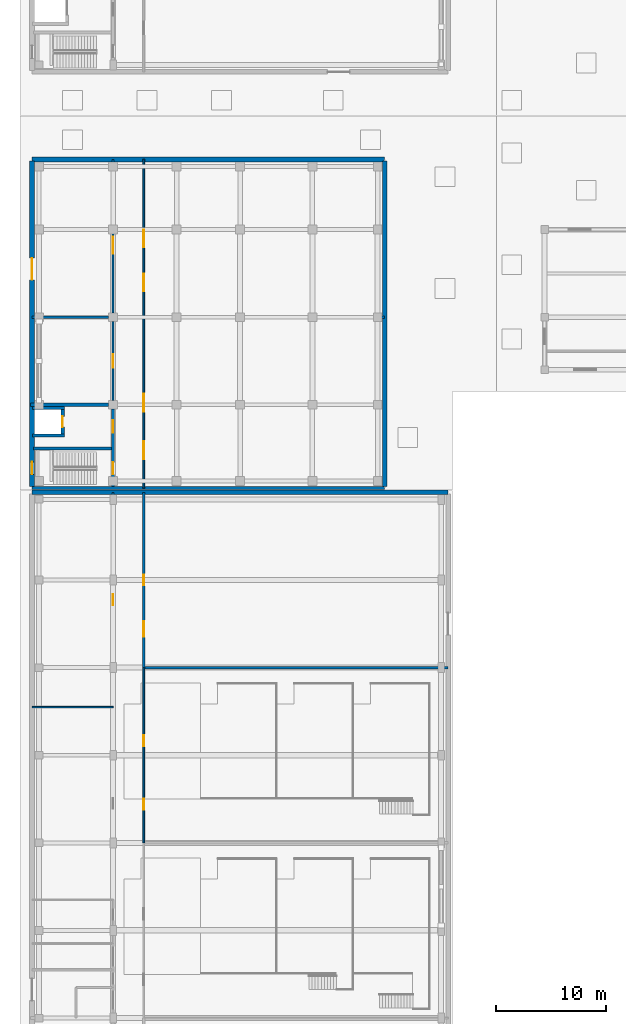
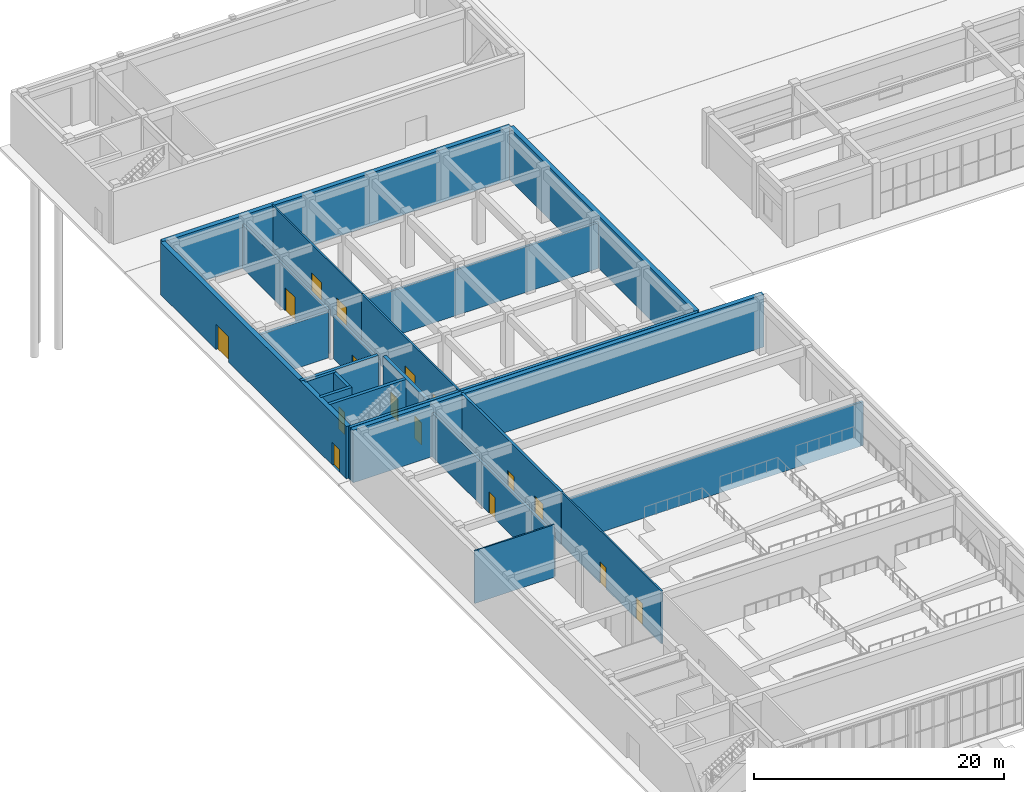
# One storey, part 29 of 46: 22 walls, 16 doors, 16 openings.
"""IFC4 building model written with IfcOpenShell, lengths in metres."""

from ifc_helpers import new_model, si_unit, direction, frame, frame_2d, origin, place, context, subcontext, project, spatial, rectangle, extrude, material, layer, layer_set, type_object, element, fill, save


model = new_model("IFC4")

# Units and contexts
model_context = context("Model", 3, precision=1e-05, world=origin(), true_north=direction((0.0, 1.0)))
body_context = subcontext(model_context, "Body", "Model", "MODEL_VIEW")
ifc_project = project(units=[si_unit("LENGTHUNIT", "METRE"), si_unit("AREAUNIT", "SQUARE_METRE"), si_unit("VOLUMEUNIT", "CUBIC_METRE"), si_unit("PLANEANGLEUNIT", "RADIAN"), si_unit("MASSUNIT", "GRAM", prefix="KILO")], contexts=[model_context])

# Site, building, storey
site_placement = place(None, origin())
site = spatial("IfcSite", under=ifc_project, at=site_placement, CompositionType="ELEMENT")
building_placement = place(site_placement, origin())
building = spatial("IfcBuilding", under=site, at=building_placement, Name="Cinchona Park Media Centre", CompositionType="ELEMENT")
storey_placement = place(building_placement, origin())
storey = spatial("IfcBuildingStorey", under=building, at=storey_placement, Name="L00", CompositionType="ELEMENT", Elevation=0.0)

# Walls
ifc_material_1 = material(Name="Precast concrete C40/50", Category="concrete")
ifc_layer_1 = layer(ifc_material_1, 0.425048828125)
ifc_layer_set_1 = layer_set([ifc_layer_1], Name="Precast concrete C40/50")
wall_type_1 = type_object("IfcWallType", Name="WALL-W-AC01", PredefinedType="SOLIDWALL", material=ifc_layer_set_1)
wall_1_placement = place(storey_placement, frame((8.0, 63.60009765625, 0.0), z_axis=(0.0, 0.0, 1.0), x_axis=(1.0, 0.0, 0.0)))
element("IfcWall", 1, at=wall_1_placement, inside=storey, type_object=wall_type_1, Name="Exterior Wall W-AC01 V1 L00", PredefinedType="SOLIDWALL", context=body_context, shape_type="SweptSolid", body=[
    extrude(rectangle(XDim=38.0, YDim=0.425048828125, at=frame_2d((19.0, 0.0))), origin(), (0.0, 0.0, 1.0), 5.139892578125),
])
wall_2_placement = place(storey_placement, frame((8.0, 94.0, 0.0), z_axis=(0.0, 0.0, 1.0), x_axis=(1.0, 0.0, 0.0)))
element("IfcWall", 2, at=wall_2_placement, inside=storey, type_object=wall_type_1, Name="Exterior Wall W-AC01 V4 L00", PredefinedType="SOLIDWALL", context=body_context, shape_type="SweptSolid", body=[
    extrude(rectangle(XDim=32.199951171875, YDim=0.425048828125, at=frame_2d((16.10009765625, 0.0))), origin(), (0.0, 0.0, 1.0), 5.1201171875),
])
wall_3_placement = place(storey_placement, frame((40.199951171875, 93.860107421875, 0.0), z_axis=(0.0, 0.0, 1.0), x_axis=(0.0, -1.0, 0.0)))
element("IfcWall", 3, at=wall_3_placement, inside=storey, type_object=wall_type_1, Name="Exterior Wall W-AC01 V4 L00", PredefinedType="SOLIDWALL", context=body_context, shape_type="SweptSolid", body=[
    extrude(rectangle(XDim=29.72021484375, YDim=0.425048828125, at=frame_2d((14.860107421875, 0.0))), origin(), (0.0, 0.0, 1.0), 5.1201171875),
])

# Wall, openings, doors
wall_4_placement = place(storey_placement, frame((8.0, 64.139892578125, 0.0), z_axis=(0.0, 0.0, 1.0), x_axis=(0.0, 1.0, 0.0)))
wall_4 = element("IfcWall", 4, at=wall_4_placement, inside=storey, type_object=wall_type_1, Name="Exterior Wall W-AC01 V4 L00", PredefinedType="SOLIDWALL", context=body_context, shape_type="SweptSolid", body=[
    extrude(rectangle(XDim=29.72021484375, YDim=0.425048828125, at=frame_2d((14.860107421875, 0.0))), origin(), (0.0, 0.0, 1.0), 5.1201171875),
])
opening_1_placement = place(wall_4_placement, frame((1.10009765625, 0.0, 0.0)))
opening_1 = element("IfcOpeningElement", 5, at=opening_1_placement, cuts=wall_4, Name="Opening D003", PredefinedType="OPENING", context=body_context, shape_type="SweptSolid", body=[
    extrude(rectangle(XDim=1.14990234375, YDim=2.199951171875, at=frame_2d((0.574951171875, 1.10009765625))), frame((0.0, 0.222412109375, 0.0), z_axis=(0.0, -1.0, 0.0), x_axis=(1.0, 0.0, 0.0)), (0.0, 0.0, 1.0), 0.445068359375),
])
opening_2_placement = place(wall_4_placement, frame((18.860107421875, 0.0, 0.0)))
opening_2 = element("IfcOpeningElement", 6, at=opening_2_placement, cuts=wall_4, Name="Opening D012", PredefinedType="OPENING", context=body_context, shape_type="SweptSolid", body=[
    extrude(rectangle(XDim=2.0, YDim=2.5, at=frame_2d((1.0, 1.25))), frame((0.0, 0.222412109375, 0.0), z_axis=(0.0, -1.0, 0.0), x_axis=(1.0, 0.0, 0.0)), (0.0, 0.0, 1.0), 0.445068359375),
])
ifc_material_2 = material(Name="Insulated Steel and Laminated Glass Door", Category="steel")
door_type_1 = type_object("IfcDoorType", Name="DOOR-DT-EX2", OperationType="NOTDEFINED", PredefinedType="DOOR", material=ifc_material_2)
door_1_placement = place(opening_2_placement, origin())
door_1 = element("IfcDoor", 7, at=door_1_placement, inside=storey, type_object=door_type_1, Name="Exterior Door D012", OperationType="DOUBLE_SWING_LEFT", OverallHeight=2.5, OverallWidth=2.0, PredefinedType="DOOR", context=body_context, shape_type="SweptSolid", body=[
    extrude(rectangle(XDim=2.0, YDim=2.5, at=frame_2d((1.0, 1.25))), frame((0.0, 0.02490234375, 0.0), z_axis=(0.0, -1.0, 0.0), x_axis=(1.0, 0.0, 0.0)), (0.0, 0.0, 1.0), 0.050048828125),
])
fill(opening_2, door_1)
ifc_material_3 = material(Name="Insulated Steel and Laminated Glass Door", Category="steel")
door_type_2 = type_object("IfcDoorType", Name="DOOR-DT-EX3", OperationType="NOTDEFINED", PredefinedType="DOOR", material=ifc_material_3)
door_2_placement = place(opening_1_placement, origin())
door_2 = element("IfcDoor", 8, at=door_2_placement, inside=storey, type_object=door_type_2, Name="Exterior Door D003", OperationType="SINGLE_SWING_LEFT", OverallHeight=2.199951171875, OverallWidth=1.14990234375, PredefinedType="DOOR", context=body_context, shape_type="SweptSolid", body=[
    extrude(rectangle(XDim=1.14990234375, YDim=2.199951171875, at=frame_2d((0.574951171875, 1.10009765625))), frame((0.0, 0.02490234375, 0.0), z_axis=(0.0, -1.0, 0.0), x_axis=(1.0, 0.0, 0.0)), (0.0, 0.0, 1.0), 0.050048828125),
])
fill(opening_1, door_2)

# Wall, opening, door
ifc_material_4 = material(Name="Acoustic Double-Stud Gypsum Partition", Category="gypsum")
ifc_layer_2 = layer(ifc_material_4, 0.2099609375)
ifc_layer_set_2 = layer_set([ifc_layer_2], Name="Acoustic Double-Stud Gypsum Partition")
wall_type_2 = type_object("IfcWallType", Name="WALL-W-AC210", PredefinedType="PARTITIONING", material=ifc_layer_set_2)
wall_5_placement = place(storey_placement, frame((15.39990234375, 44.0, 0.0), z_axis=(0.0, 0.0, 1.0), x_axis=(0.0, 1.0, 0.0)))
wall_5 = element("IfcWall", 9, at=wall_5_placement, inside=storey, type_object=wall_type_2, Name="Interior Wall W-AC210 L00", PredefinedType="PARTITIONING", context=body_context, shape_type="SweptSolid", body=[
    extrude(rectangle(XDim=19.60009765625, YDim=0.2099609375, at=frame_2d((9.800048828125, 0.0))), origin(), (0.0, 0.0, 1.0), 4.2900390625),
])
opening_3_placement = place(wall_5_placement, frame((9.2900390625, 0.0, 0.0)))
opening_3 = element("IfcOpeningElement", 10, at=opening_3_placement, cuts=wall_5, Name="Opening D186", PredefinedType="OPENING", context=body_context, shape_type="SweptSolid", body=[
    extrude(rectangle(XDim=1.02001953125, YDim=2.10009765625, at=frame_2d((0.510009765625, 1.050048828125))), frame((0.0, 0.114990234375, 0.0), z_axis=(0.0, -1.0, 0.0), x_axis=(1.0, 0.0, 0.0)), (0.0, 0.0, 1.0), 0.22998046875),
])
ifc_material_5 = material(Name="Solid-Core Timber Acoustic Door", Category="wood")
door_type_3 = type_object("IfcDoorType", Name="DOOR-DT05", OperationType="NOTDEFINED", PredefinedType="DOOR", material=ifc_material_5)
door_3_placement = place(opening_3_placement, origin())
door_3 = element("IfcDoor", 11, at=door_3_placement, inside=storey, type_object=door_type_3, Name="Interior Door D186", OperationType="SINGLE_SWING_RIGHT", OverallHeight=2.10009765625, OverallWidth=1.02001953125, PredefinedType="DOOR", context=body_context, shape_type="SweptSolid", body=[
    extrude(rectangle(XDim=1.02001953125, YDim=2.10009765625, at=frame_2d((0.510009765625, 1.050048828125))), frame((0.0, 0.02490234375, 0.0), z_axis=(0.0, -1.0, 0.0), x_axis=(1.0, 0.0, 0.0)), (0.0, 0.0, 1.0), 0.050048828125),
])
fill(opening_3, door_3)

# Wall
wall_6_placement = place(storey_placement, frame((18.199951171875, 47.60009765625, 0.0), z_axis=(0.0, 0.0, 1.0), x_axis=(1.0, 0.0, 0.0)))
element("IfcWall", 12, at=wall_6_placement, inside=storey, type_object=wall_type_2, Name="Interior Wall W-AC210 L00", PredefinedType="PARTITIONING", context=body_context, shape_type="SweptSolid", body=[
    extrude(rectangle(XDim=27.800048828125, YDim=0.2099609375, at=frame_2d((13.89990234375, 0.0))), origin(), (0.0, 0.0, 1.0), 4.2900390625),
])

# Wall, opening, door
wall_7_placement = place(storey_placement, frame((15.39990234375, 72.001953125, 0.0), z_axis=(0.0, 0.0, 1.0), x_axis=(0.0, 1.0, 0.0)))
wall_7 = element("IfcWall", 13, at=wall_7_placement, inside=storey, type_object=wall_type_2, Name="Interior Wall W-AC210 L00", PredefinedType="PARTITIONING", context=body_context, shape_type="SweptSolid", body=[
    extrude(rectangle(XDim=7.196044921875, YDim=0.2099609375, at=frame_2d((3.59814453125, 0.0))), origin(), (0.0, 0.0, 1.0), 4.27001953125),
])
opening_4_placement = place(wall_7_placement, frame((2.988037109375, 0.0, 0.0)))
opening_4 = element("IfcOpeningElement", 14, at=opening_4_placement, cuts=wall_7, Name="Opening D197", PredefinedType="OPENING", context=body_context, shape_type="SweptSolid", body=[
    extrude(rectangle(XDim=1.219970703125, YDim=2.199951171875, at=frame_2d((0.60986328125, 1.10009765625))), frame((0.0, 0.114990234375, 0.0), z_axis=(0.0, -1.0, 0.0), x_axis=(1.0, 0.0, 0.0)), (0.0, 0.0, 1.0), 0.22998046875),
])
ifc_material_6 = material(Name="Fire-Rated Acoustic Timber-Steel Door", Category="steel")
door_type_4 = type_object("IfcDoorType", Name="DOOR-DT10", OperationType="NOTDEFINED", PredefinedType="DOOR", material=ifc_material_6)
door_4_placement = place(opening_4_placement, origin())
door_4 = element("IfcDoor", 15, at=door_4_placement, inside=storey, type_object=door_type_4, Name="Interior Door D197", OperationType="SINGLE_SWING_LEFT", OverallHeight=2.199951171875, OverallWidth=1.219970703125, PredefinedType="DOOR", context=body_context, shape_type="SweptSolid", body=[
    extrude(rectangle(XDim=1.219970703125, YDim=2.199951171875, at=frame_2d((0.60986328125, 1.10009765625))), frame((0.0, 0.02490234375, 0.0), z_axis=(0.0, -1.0, 0.0), x_axis=(1.0, 0.0, 0.0)), (0.0, 0.0, 1.0), 0.050048828125),
])
fill(opening_4, door_4)

# Wall
wall_8_placement = place(storey_placement, frame((18.199951171875, 79.60009765625, 0.0), z_axis=(0.0, 0.0, 1.0), x_axis=(1.0, 0.0, 0.0)))
element("IfcWall", 16, at=wall_8_placement, inside=storey, type_object=wall_type_2, Name="Interior Wall W-AC210 L00", PredefinedType="PARTITIONING", context=body_context, shape_type="SweptSolid", body=[
    extrude(rectangle(XDim=22.0, YDim=0.2099609375, at=frame_2d((11.0, 0.0))), origin(), (0.0, 0.0, 1.0), 4.469970703125),
])

# Wall, openings, doors
ifc_material_7 = material(Name="Acoustic Double-Stud Gypsum Partition", Category="gypsum")
ifc_layer_3 = layer(ifc_material_7, 0.239990234375)
ifc_layer_set_3 = layer_set([ifc_layer_3], Name="Acoustic Double-Stud Gypsum Partition")
wall_type_3 = type_object("IfcWallType", Name="WALL-W-AC240", PredefinedType="PARTITIONING", material=ifc_layer_set_3)
wall_9_placement = place(storey_placement, frame((18.199951171875, 63.60009765625, 0.0), z_axis=(0.0, 0.0, 1.0), x_axis=(0.0, -1.0, 0.0)))
wall_9 = element("IfcWall", 17, at=wall_9_placement, inside=storey, type_object=wall_type_3, Name="Interior Wall W-AC240 L00", PredefinedType="PARTITIONING", context=body_context, shape_type="SweptSolid", body=[
    extrude(rectangle(XDim=16.0, YDim=0.239990234375, at=frame_2d((8.0, 0.0))), origin(), (0.0, 0.0, 1.0), 5.139892578125),
])
opening_5_placement = place(wall_9_placement, frame((7.5, 0.0, 0.0)))
opening_5 = element("IfcOpeningElement", 18, at=opening_5_placement, cuts=wall_9, Name="Opening D192", PredefinedType="OPENING", context=body_context, shape_type="SweptSolid", body=[
    extrude(rectangle(XDim=1.0, YDim=2.10009765625, at=frame_2d((0.5, 1.050048828125))), frame((0.0, 0.1298828125, 0.0), z_axis=(0.0, -1.0, 0.0), x_axis=(1.0, 0.0, 0.0)), (0.0, 0.0, 1.0), 0.260009765625),
])
opening_6_placement = place(wall_9_placement, frame((11.780029296875, 0.0, 0.0)))
opening_6 = element("IfcOpeningElement", 19, at=opening_6_placement, cuts=wall_9, Name="Opening D193", PredefinedType="OPENING", context=body_context, shape_type="SweptSolid", body=[
    extrude(rectangle(XDim=1.39990234375, YDim=2.25, at=frame_2d((0.699951171875, 1.125))), frame((0.0, 0.1298828125, 0.0), z_axis=(0.0, -1.0, 0.0), x_axis=(1.0, 0.0, 0.0)), (0.0, 0.0, 1.0), 0.260009765625),
])
ifc_material_8 = material(Name="Acoustic Double-Seal Steel Door", Category="steel")
door_type_5 = type_object("IfcDoorType", Name="DOOR-DT-AC", OperationType="NOTDEFINED", PredefinedType="DOOR", material=ifc_material_8)
door_5_placement = place(opening_6_placement, origin())
door_5 = element("IfcDoor", 20, at=door_5_placement, inside=storey, type_object=door_type_5, Name="Interior Door D193", OperationType="SINGLE_SWING_LEFT", OverallHeight=2.25, OverallWidth=1.39990234375, PredefinedType="DOOR", context=body_context, shape_type="SweptSolid", body=[
    extrude(rectangle(XDim=1.39990234375, YDim=2.25, at=frame_2d((0.699951171875, 1.125))), frame((0.0, 0.02490234375, 0.0), z_axis=(0.0, -1.0, 0.0), x_axis=(1.0, 0.0, 0.0)), (0.0, 0.0, 1.0), 0.050048828125),
])
fill(opening_6, door_5)
ifc_material_9 = material(Name="Fire-Rated Acoustic Timber-Steel Door", Category="steel")
door_type_6 = type_object("IfcDoorType", Name="DOOR-DT04", OperationType="NOTDEFINED", PredefinedType="DOOR", material=ifc_material_9)
door_6_placement = place(opening_5_placement, origin())
door_6 = element("IfcDoor", 21, at=door_6_placement, inside=storey, type_object=door_type_6, Name="Interior Door D192", OperationType="SINGLE_SWING_RIGHT", OverallHeight=2.10009765625, OverallWidth=1.0, PredefinedType="DOOR", context=body_context, shape_type="SweptSolid", body=[
    extrude(rectangle(XDim=1.0, YDim=2.10009765625, at=frame_2d((0.5, 1.050048828125))), frame((0.0, 0.02490234375, 0.0), z_axis=(0.0, -1.0, 0.0), x_axis=(1.0, 0.0, 0.0)), (0.0, 0.0, 1.0), 0.050048828125),
])
fill(opening_5, door_6)

# Walls
wall_10_placement = place(storey_placement, frame((8.0, 79.60009765625, 0.0), z_axis=(0.0, 0.0, 1.0), x_axis=(1.0, 0.0, 0.0)))
element("IfcWall", 22, at=wall_10_placement, inside=storey, type_object=wall_type_3, Name="Interior Wall W-AC240 L00", PredefinedType="PARTITIONING", context=body_context, shape_type="SweptSolid", body=[
    extrude(rectangle(XDim=6.998046875, YDim=0.239990234375, at=frame_2d((3.4990234375, 0.0))), origin(), (0.0, 0.0, 1.0), 4.469970703125),
])
ifc_material_10 = material(Name="Concrete C40/50", Category="concrete")
ifc_layer_4 = layer(ifc_material_10, 0.300048828125)
ifc_layer_set_4 = layer_set([ifc_layer_4], Name="Concrete C40/50")
wall_type_4 = type_object("IfcWallType", Name="WALL-W-CR300", PredefinedType="SHEAR", material=ifc_layer_set_4)
wall_11_placement = place(storey_placement, frame((7.85009765625, 71.60009765625, 0.0), z_axis=(0.0, 0.0, 1.0), x_axis=(1.0, 0.0, 0.0)))
element("IfcWall", 23, at=wall_11_placement, inside=storey, type_object=wall_type_4, Name="Core Shear Wall W-CR300 L00", PredefinedType="SHEAR", context=body_context, shape_type="SweptSolid", body=[
    extrude(rectangle(XDim=7.14794921875, YDim=0.300048828125, at=frame_2d((3.573974609375, 0.0))), origin(), (0.0, 0.0, 1.0), 5.1201171875),
])

# Wall, openings, doors
wall_12_placement = place(storey_placement, frame((15.39990234375, 64.14990234375, 0.0), z_axis=(0.0, 0.0, 1.0), x_axis=(0.0, 1.0, 0.0)))
wall_12 = element("IfcWall", 24, at=wall_12_placement, inside=storey, type_object=wall_type_4, Name="Core Shear Wall W-CR300 L00", PredefinedType="SHEAR", context=body_context, shape_type="SweptSolid", body=[
    extrude(rectangle(XDim=7.048095703125, YDim=0.300048828125, at=frame_2d((3.52392578125, 0.0))), origin(), (0.0, 0.0, 1.0), 5.1201171875),
])
opening_7_placement = place(wall_12_placement, frame((1.10009765625, 0.0, 0.0)))
opening_7 = element("IfcOpeningElement", 25, at=opening_7_placement, cuts=wall_12, Name="Opening D048", PredefinedType="OPENING", context=body_context, shape_type="SweptSolid", body=[
    extrude(rectangle(XDim=1.10009765625, YDim=2.14990234375, at=frame_2d((0.550048828125, 1.074951171875))), frame((0.0, 0.159912109375, 0.0), z_axis=(0.0, -1.0, 0.0), x_axis=(1.0, 0.0, 0.0)), (0.0, 0.0, 1.0), 0.320068359375),
])
opening_8_placement = place(wall_12_placement, frame((4.875, 0.0, 0.0)))
opening_8 = element("IfcOpeningElement", 26, at=opening_8_placement, cuts=wall_12, Name="Opening D049", PredefinedType="OPENING", context=body_context, shape_type="SweptSolid", body=[
    extrude(rectangle(XDim=1.14990234375, YDim=2.199951171875, at=frame_2d((0.574951171875, 1.10009765625))), frame((0.0, 0.159912109375, 0.0), z_axis=(0.0, -1.0, 0.0), x_axis=(1.0, 0.0, 0.0)), (0.0, 0.0, 1.0), 0.320068359375),
])
ifc_material_11 = material(Name="Insulated Fire-Rated Steel Door", Category="steel")
door_type_7 = type_object("IfcDoorType", Name="DOOR-DT-FF", OperationType="NOTDEFINED", PredefinedType="DOOR", material=ifc_material_11)
door_7_placement = place(opening_8_placement, origin())
door_7 = element("IfcDoor", 27, at=door_7_placement, inside=storey, type_object=door_type_7, Name="Interior Door D049", OperationType="SINGLE_SWING_LEFT", OverallHeight=2.199951171875, OverallWidth=1.14990234375, PredefinedType="DOOR", context=body_context, shape_type="SweptSolid", body=[
    extrude(rectangle(XDim=1.14990234375, YDim=2.199951171875, at=frame_2d((0.574951171875, 1.10009765625))), frame((0.0, 0.02490234375, 0.0), z_axis=(0.0, -1.0, 0.0), x_axis=(1.0, 0.0, 0.0)), (0.0, 0.0, 1.0), 0.050048828125),
])
fill(opening_8, door_7)
ifc_material_12 = material(Name="Insulated Fire-Rated Steel Door", Category="steel")
door_type_8 = type_object("IfcDoorType", Name="DOOR-DT-ST", OperationType="NOTDEFINED", PredefinedType="DOOR", material=ifc_material_12)
door_8_placement = place(opening_7_placement, origin())
door_8 = element("IfcDoor", 28, at=door_8_placement, inside=storey, type_object=door_type_8, Name="Interior Door D048", OperationType="SINGLE_SWING_RIGHT", OverallHeight=2.14990234375, OverallWidth=1.10009765625, PredefinedType="DOOR", context=body_context, shape_type="SweptSolid", body=[
    extrude(rectangle(XDim=1.10009765625, YDim=2.14990234375, at=frame_2d((0.550048828125, 1.074951171875))), frame((0.0, 0.02490234375, 0.0), z_axis=(0.0, -1.0, 0.0), x_axis=(1.0, 0.0, 0.0)), (0.0, 0.0, 1.0), 0.050048828125),
])
fill(opening_7, door_8)

# Walls
wall_13_placement = place(storey_placement, frame((8.14990234375, 67.60009765625, 0.0), z_axis=(0.0, 0.0, 1.0), x_axis=(1.0, 0.0, 0.0)))
element("IfcWall", 29, at=wall_13_placement, inside=storey, type_object=wall_type_4, Name="Core Shear Wall W-CR300 L00", PredefinedType="SHEAR", context=body_context, shape_type="SweptSolid", body=[
    extrude(rectangle(XDim=7.10009765625, YDim=0.300048828125, at=frame_2d((3.550048828125, 0.0))), origin(), (0.0, 0.0, 1.0), 5.1201171875),
])
ifc_material_13 = material(Name="Precast concrete C40/50", Category="concrete")
ifc_layer_5 = layer(ifc_material_13, 0.27490234375)
ifc_layer_set_5 = layer_set([ifc_layer_5], Name="Precast concrete C40/50")
wall_type_5 = type_object("IfcWallType", Name="WALL-W-EX03", PredefinedType="SOLIDWALL", material=ifc_layer_set_5)
wall_14_placement = place(storey_placement, frame((40.199951171875, 64.0, 0.0), z_axis=(0.0, 0.0, 1.0), x_axis=(-1.0, 0.0, 0.0)))
element("IfcWall", 30, at=wall_14_placement, inside=storey, type_object=wall_type_5, Name="Exterior Wall W-EX03 V4 L00", PredefinedType="SOLIDWALL", context=body_context, shape_type="SweptSolid", body=[
    extrude(rectangle(XDim=32.199951171875, YDim=0.27490234375, at=frame_2d((16.10009765625, 0.0))), origin(), (0.0, 0.0, 1.0), 5.1201171875),
])
ifc_material_14 = material(Name="Gypsum Metal-Stud Partition", Category="gypsum")
ifc_layer_6 = layer(ifc_material_14, 0.135009765625)
ifc_layer_set_6 = layer_set([ifc_layer_6], Name="Gypsum Metal-Stud Partition")
wall_type_6 = type_object("IfcWallType", Name="WALL-W-PT135", PredefinedType="PARTITIONING", material=ifc_layer_set_6)
wall_15_placement = place(storey_placement, frame((8.0, 44.0, 0.0), z_axis=(0.0, 0.0, 1.0), x_axis=(1.0, 0.0, 0.0)))
element("IfcWall", 31, at=wall_15_placement, inside=storey, type_object=wall_type_6, Name="Interior Wall W-PT135 L00", PredefinedType="PARTITIONING", context=body_context, shape_type="SweptSolid", body=[
    extrude(rectangle(XDim=7.39990234375, YDim=0.135009765625, at=frame_2d((3.699951171875, 0.0))), origin(), (0.0, 0.0, 1.0), 5.139892578125),
])

# Wall, openings, doors
ifc_material_15 = material(Name="Fire-Rated Gypsum Stud Partition", Category="gypsum")
ifc_layer_7 = layer(ifc_material_15, 0.14990234375)
ifc_layer_set_7 = layer_set([ifc_layer_7], Name="Fire-Rated Gypsum Stud Partition")
wall_type_7 = type_object("IfcWallType", Name="WALL-W-PT150", PredefinedType="PARTITIONING", material=ifc_layer_set_7)
wall_16_placement = place(storey_placement, frame((18.199951171875, 47.60009765625, 0.0), z_axis=(0.0, 0.0, 1.0), x_axis=(0.0, -1.0, 0.0)))
wall_16 = element("IfcWall", 32, at=wall_16_placement, inside=storey, type_object=wall_type_7, Name="Interior Wall W-PT150 L00", PredefinedType="PARTITIONING", context=body_context, shape_type="SweptSolid", body=[
    extrude(rectangle(XDim=16.0, YDim=0.14990234375, at=frame_2d((8.0, 0.0))), origin(), (0.0, 0.0, 1.0), 5.139892578125),
])
opening_9_placement = place(wall_16_placement, frame((6.179931640625, 0.0, 0.0)))
opening_9 = element("IfcOpeningElement", 33, at=opening_9_placement, cuts=wall_16, Name="Opening D190", PredefinedType="OPENING", context=body_context, shape_type="SweptSolid", body=[
    extrude(rectangle(XDim=0.97998046875, YDim=2.10009765625, at=frame_2d((0.489990234375, 1.050048828125))), frame((0.0, 0.0849609375, 0.0), z_axis=(0.0, -1.0, 0.0), x_axis=(1.0, 0.0, 0.0)), (0.0, 0.0, 1.0), 0.169921875),
])
opening_10_placement = place(wall_16_placement, frame((11.989990234375, 0.0, 0.0)))
opening_10 = element("IfcOpeningElement", 34, at=opening_10_placement, cuts=wall_16, Name="Opening D191", PredefinedType="OPENING", context=body_context, shape_type="SweptSolid", body=[
    extrude(rectangle(XDim=0.97998046875, YDim=2.10009765625, at=frame_2d((0.489990234375, 1.050048828125))), frame((0.0, 0.0849609375, 0.0), z_axis=(0.0, -1.0, 0.0), x_axis=(1.0, 0.0, 0.0)), (0.0, 0.0, 1.0), 0.169921875),
])
ifc_material_16 = material(Name="Fire-Rated Acoustic Timber-Steel Door", Category="steel")
door_type_9 = type_object("IfcDoorType", Name="DOOR-DT03", OperationType="NOTDEFINED", PredefinedType="DOOR", material=ifc_material_16)
door_9_placement = place(opening_9_placement, origin())
door_9 = element("IfcDoor", 35, at=door_9_placement, inside=storey, type_object=door_type_9, Name="Interior Door D190", OperationType="SINGLE_SWING_RIGHT", OverallHeight=2.10009765625, OverallWidth=0.97998046875, PredefinedType="DOOR", context=body_context, shape_type="SweptSolid", body=[
    extrude(rectangle(XDim=0.97998046875, YDim=2.10009765625, at=frame_2d((0.489990234375, 1.050048828125))), frame((0.0, 0.02490234375, 0.0), z_axis=(0.0, -1.0, 0.0), x_axis=(1.0, 0.0, 0.0)), (0.0, 0.0, 1.0), 0.050048828125),
])
fill(opening_9, door_9)
door_10_placement = place(opening_10_placement, origin())
door_10 = element("IfcDoor", 36, at=door_10_placement, inside=storey, type_object=door_type_9, Name="Interior Door D191", OperationType="SINGLE_SWING_LEFT", OverallHeight=2.10009765625, OverallWidth=0.97998046875, PredefinedType="DOOR", context=body_context, shape_type="SweptSolid", body=[
    extrude(rectangle(XDim=0.97998046875, YDim=2.10009765625, at=frame_2d((0.489990234375, 1.050048828125))), frame((0.0, 0.02490234375, 0.0), z_axis=(0.0, -1.0, 0.0), x_axis=(1.0, 0.0, 0.0)), (0.0, 0.0, 1.0), 0.050048828125),
])
fill(opening_10, door_10)

wall_17_placement = place(storey_placement, frame((18.199951171875, 94.0, 0.0), z_axis=(0.0, 0.0, 1.0), x_axis=(0.0, -1.0, 0.0)))
wall_17 = element("IfcWall", 37, at=wall_17_placement, inside=storey, type_object=wall_type_7, Name="Interior Wall W-PT150 L00", PredefinedType="PARTITIONING", context=body_context, shape_type="SweptSolid", body=[
    extrude(rectangle(XDim=14.39990234375, YDim=0.14990234375, at=frame_2d((7.199951171875, 0.0))), origin(), (0.0, 0.0, 1.0), 5.1201171875),
])
opening_11_placement = place(wall_17_placement, frame((6.39990234375, 0.0, 0.0)))
opening_11 = element("IfcOpeningElement", 38, at=opening_11_placement, cuts=wall_17, Name="Opening D201", PredefinedType="OPENING", context=body_context, shape_type="SweptSolid", body=[
    extrude(rectangle(XDim=1.60009765625, YDim=2.300048828125, at=frame_2d((0.800048828125, 1.14990234375))), frame((0.0, 0.0849609375, 0.0), z_axis=(0.0, -1.0, 0.0), x_axis=(1.0, 0.0, 0.0)), (0.0, 0.0, 1.0), 0.169921875),
])
opening_12_placement = place(wall_17_placement, frame((10.431884765625, 0.0, 0.0)))
opening_12 = element("IfcOpeningElement", 39, at=opening_12_placement, cuts=wall_17, Name="Opening D202", PredefinedType="OPENING", context=body_context, shape_type="SweptSolid", body=[
    extrude(rectangle(XDim=1.60009765625, YDim=2.300048828125, at=frame_2d((0.800048828125, 1.14990234375))), frame((0.0, 0.0849609375, 0.0), z_axis=(0.0, -1.0, 0.0), x_axis=(1.0, 0.0, 0.0)), (0.0, 0.0, 1.0), 0.169921875),
])
ifc_material_17 = material(Name="Solid-Core Timber Acoustic Door", Category="wood")
door_type_10 = type_object("IfcDoorType", Name="DOOR-DT17", OperationType="NOTDEFINED", PredefinedType="DOOR", material=ifc_material_17)
door_11_placement = place(opening_11_placement, origin())
door_11 = element("IfcDoor", 40, at=door_11_placement, inside=storey, type_object=door_type_10, Name="Interior Door D201", OperationType="SINGLE_SWING_LEFT", OverallHeight=2.300048828125, OverallWidth=1.60009765625, PredefinedType="DOOR", context=body_context, shape_type="SweptSolid", body=[
    extrude(rectangle(XDim=1.60009765625, YDim=2.300048828125, at=frame_2d((0.800048828125, 1.14990234375))), frame((0.0, 0.02490234375, 0.0), z_axis=(0.0, -1.0, 0.0), x_axis=(1.0, 0.0, 0.0)), (0.0, 0.0, 1.0), 0.050048828125),
])
fill(opening_11, door_11)
door_12_placement = place(opening_12_placement, origin())
door_12 = element("IfcDoor", 41, at=door_12_placement, inside=storey, type_object=door_type_10, Name="Interior Door D202", OperationType="SINGLE_SWING_RIGHT", OverallHeight=2.300048828125, OverallWidth=1.60009765625, PredefinedType="DOOR", context=body_context, shape_type="SweptSolid", body=[
    extrude(rectangle(XDim=1.60009765625, YDim=2.300048828125, at=frame_2d((0.800048828125, 1.14990234375))), frame((0.0, 0.02490234375, 0.0), z_axis=(0.0, -1.0, 0.0), x_axis=(1.0, 0.0, 0.0)), (0.0, 0.0, 1.0), 0.050048828125),
])
fill(opening_12, door_12)

ifc_material_18 = material(Name="Fire-Rated Gypsum Stud Partition", Category="gypsum")
ifc_layer_8 = layer(ifc_material_18, 0.1650390625)
ifc_layer_set_8 = layer_set([ifc_layer_8], Name="Fire-Rated Gypsum Stud Partition")
wall_type_8 = type_object("IfcWallType", Name="WALL-W-PT165", PredefinedType="PARTITIONING", material=ifc_layer_set_8)
wall_18_placement = place(storey_placement, frame((18.199951171875, 79.60009765625, 0.0), z_axis=(0.0, 0.0, 1.0), x_axis=(0.0, -1.0, 0.0)))
wall_18 = element("IfcWall", 42, at=wall_18_placement, inside=storey, type_object=wall_type_8, Name="Interior Wall W-PT165 L00", PredefinedType="PARTITIONING", context=body_context, shape_type="SweptSolid", body=[
    extrude(rectangle(XDim=15.60009765625, YDim=0.1650390625, at=frame_2d((7.800048828125, 0.0))), origin(), (0.0, 0.0, 1.0), 5.1201171875),
])
opening_13_placement = place(wall_18_placement, frame((6.97509765625, 0.0, 0.0)))
opening_13 = element("IfcOpeningElement", 43, at=opening_13_placement, cuts=wall_18, Name="Opening D199", PredefinedType="OPENING", context=body_context, shape_type="SweptSolid", body=[
    extrude(rectangle(XDim=1.64990234375, YDim=2.300048828125, at=frame_2d((0.824951171875, 1.14990234375))), frame((0.0, 0.092529296875, 0.0), z_axis=(0.0, -1.0, 0.0), x_axis=(1.0, 0.0, 0.0)), (0.0, 0.0, 1.0), 0.18505859375),
])
opening_14_placement = place(wall_18_placement, frame((11.343017578125, 0.0, 0.0)))
opening_14 = element("IfcOpeningElement", 44, at=opening_14_placement, cuts=wall_18, Name="Opening D200", PredefinedType="OPENING", context=body_context, shape_type="SweptSolid", body=[
    extrude(rectangle(XDim=1.64990234375, YDim=2.300048828125, at=frame_2d((0.824951171875, 1.14990234375))), frame((0.0, 0.092529296875, 0.0), z_axis=(0.0, -1.0, 0.0), x_axis=(1.0, 0.0, 0.0)), (0.0, 0.0, 1.0), 0.18505859375),
])
ifc_material_19 = material(Name="Fire-Rated Acoustic Timber-Steel Door", Category="steel")
door_type_11 = type_object("IfcDoorType", Name="DOOR-DT18", OperationType="NOTDEFINED", PredefinedType="DOOR", material=ifc_material_19)
door_13_placement = place(opening_13_placement, origin())
door_13 = element("IfcDoor", 45, at=door_13_placement, inside=storey, type_object=door_type_11, Name="Interior Door D199", OperationType="SINGLE_SWING_LEFT", OverallHeight=2.300048828125, OverallWidth=1.64990234375, PredefinedType="DOOR", context=body_context, shape_type="SweptSolid", body=[
    extrude(rectangle(XDim=1.64990234375, YDim=2.300048828125, at=frame_2d((0.824951171875, 1.14990234375))), frame((0.0, 0.02490234375, 0.0), z_axis=(0.0, -1.0, 0.0), x_axis=(1.0, 0.0, 0.0)), (0.0, 0.0, 1.0), 0.050048828125),
])
fill(opening_13, door_13)
door_14_placement = place(opening_14_placement, origin())
door_14 = element("IfcDoor", 46, at=door_14_placement, inside=storey, type_object=door_type_11, Name="Interior Door D200", OperationType="SINGLE_SWING_RIGHT", OverallHeight=2.300048828125, OverallWidth=1.64990234375, PredefinedType="DOOR", context=body_context, shape_type="SweptSolid", body=[
    extrude(rectangle(XDim=1.64990234375, YDim=2.300048828125, at=frame_2d((0.824951171875, 1.14990234375))), frame((0.0, 0.02490234375, 0.0), z_axis=(0.0, -1.0, 0.0), x_axis=(1.0, 0.0, 0.0)), (0.0, 0.0, 1.0), 0.050048828125),
])
fill(opening_14, door_14)

# Wall, opening, door
ifc_material_20 = material(Name="Fire-Rated Gypsum Stud Partition", Category="gypsum")
ifc_layer_9 = layer(ifc_material_20, 0.18994140625)
ifc_layer_set_9 = layer_set([ifc_layer_9], Name="Fire-Rated Gypsum Stud Partition")
wall_type_9 = type_object("IfcWallType", Name="WALL-W-PT190", PredefinedType="PARTITIONING", material=ifc_layer_set_9)
wall_19_placement = place(storey_placement, frame((15.39990234375, 80.001953125, 0.0), z_axis=(0.0, 0.0, 1.0), x_axis=(0.0, 1.0, 0.0)))
wall_19 = element("IfcWall", 47, at=wall_19_placement, inside=storey, type_object=wall_type_9, Name="Interior Wall W-PT190 L00", PredefinedType="PARTITIONING", context=body_context, shape_type="SweptSolid", body=[
    extrude(rectangle(XDim=13.998046875, YDim=0.18994140625, at=frame_2d((6.9990234375, 0.0))), origin(), (0.0, 0.0, 1.0), 4.27001953125),
])
opening_15_placement = place(wall_19_placement, frame((5.3798828125, 0.0, 0.0)))
opening_15 = element("IfcOpeningElement", 48, at=opening_15_placement, cuts=wall_19, Name="Opening D198", PredefinedType="OPENING", context=body_context, shape_type="SweptSolid", body=[
    extrude(rectangle(XDim=1.550048828125, YDim=2.25, at=frame_2d((0.77490234375, 1.125))), frame((0.0, 0.10498046875, 0.0), z_axis=(0.0, -1.0, 0.0), x_axis=(1.0, 0.0, 0.0)), (0.0, 0.0, 1.0), 0.2099609375),
])
ifc_material_21 = material(Name="Solid-Core Timber Acoustic Door", Category="wood")
door_type_12 = type_object("IfcDoorType", Name="DOOR-DT16", OperationType="NOTDEFINED", PredefinedType="DOOR", material=ifc_material_21)
door_15_placement = place(opening_15_placement, origin())
door_15 = element("IfcDoor", 49, at=door_15_placement, inside=storey, type_object=door_type_12, Name="Interior Door D198", OperationType="SINGLE_SWING_RIGHT", OverallHeight=2.25, OverallWidth=1.550048828125, PredefinedType="DOOR", context=body_context, shape_type="SweptSolid", body=[
    extrude(rectangle(XDim=1.550048828125, YDim=2.25, at=frame_2d((0.77490234375, 1.125))), frame((0.0, 0.02490234375, 0.0), z_axis=(0.0, -1.0, 0.0), x_axis=(1.0, 0.0, 0.0)), (0.0, 0.0, 1.0), 0.050048828125),
])
fill(opening_15, door_15)

# Walls
ifc_material_22 = material(Name="Concrete C40/50", Category="concrete")
ifc_layer_10 = layer(ifc_material_22, 0.2900390625)
ifc_layer_set_10 = layer_set([ifc_layer_10], Name="Concrete C40/50")
wall_type_10 = type_object("IfcWallType", Name="WALL-W-SH290", PredefinedType="SHEAR", material=ifc_layer_set_10)
for number, where, z_axis, x_axis, name in (
    (50, (8.054931640625, 68.800048828125, 0.0), (0.0, 0.0, 1.0), (1.0, 0.0, 0.0), "Core Shear Wall W-SH290 L00"),
    (51, (8.054931640625, 71.300048828125, 0.0), (0.0, 0.0, 1.0), (1.0, 0.0, 0.0), "Core Shear Wall W-SH290 L00"),
):
    element("IfcWall", number, at=place(storey_placement, frame(where, z_axis=z_axis, x_axis=x_axis)), inside=storey, type_object=wall_type_10, Name=name, PredefinedType="SHEAR", context=body_context, shape_type="SweptSolid", body=[
        extrude(rectangle(XDim=2.89013671875, YDim=0.2900390625, at=frame_2d((1.445068359375, 0.0))), origin(), (0.0, 0.0, 1.0), 5.1201171875),
    ])

# Wall, opening, door
wall_20_placement = place(storey_placement, frame((10.800048828125, 68.945068359375, 0.0), z_axis=(0.0, 0.0, 1.0), x_axis=(0.0, 1.0, 0.0)))
wall_20 = element("IfcWall", 52, at=wall_20_placement, inside=storey, type_object=wall_type_10, Name="Core Shear Wall W-SH290 L00", PredefinedType="SHEAR", context=body_context, shape_type="SweptSolid", body=[
    extrude(rectangle(XDim=2.2099609375, YDim=0.2900390625, at=frame_2d((1.10498046875, 0.0))), origin(), (0.0, 0.0, 1.0), 5.1201171875),
])
opening_16_placement = place(wall_20_placement, frame((0.60498046875, 0.0, 0.0)))
opening_16 = element("IfcOpeningElement", 53, at=opening_16_placement, cuts=wall_20, Name="Opening LD10", PredefinedType="OPENING", context=body_context, shape_type="SweptSolid", body=[
    extrude(rectangle(XDim=1.0, YDim=2.14990234375, at=frame_2d((0.5, 1.074951171875))), frame((0.0, 0.155029296875, 0.0), z_axis=(0.0, -1.0, 0.0), x_axis=(1.0, 0.0, 0.0)), (0.0, 0.0, 1.0), 0.31005859375),
])
ifc_material_23 = material(Name="Stainless Steel Sliding Lift Landing Door", Category="steel")
door_type_13 = type_object("IfcDoorType", Name="DOOR-DT-LD2", OperationType="NOTDEFINED", PredefinedType="DOOR", material=ifc_material_23)
door_16_placement = place(opening_16_placement, origin())
door_16 = element("IfcDoor", 54, at=door_16_placement, inside=storey, type_object=door_type_13, Name="Lift Landing Door LD10", OperationType="SLIDING_TO_LEFT", OverallHeight=2.14990234375, OverallWidth=1.0, PredefinedType="DOOR", context=body_context, shape_type="SweptSolid", body=[
    extrude(rectangle(XDim=1.0, YDim=2.14990234375, at=frame_2d((0.5, 1.074951171875))), frame((0.0, 0.02490234375, 0.0), z_axis=(0.0, -1.0, 0.0), x_axis=(1.0, 0.0, 0.0)), (0.0, 0.0, 1.0), 0.050048828125),
])
fill(opening_16, door_16)

save(model, "model.ifc")
